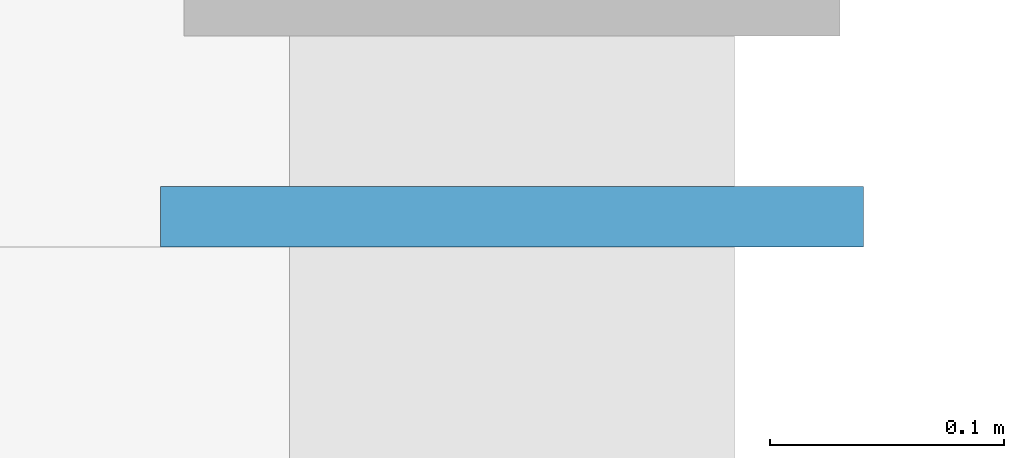
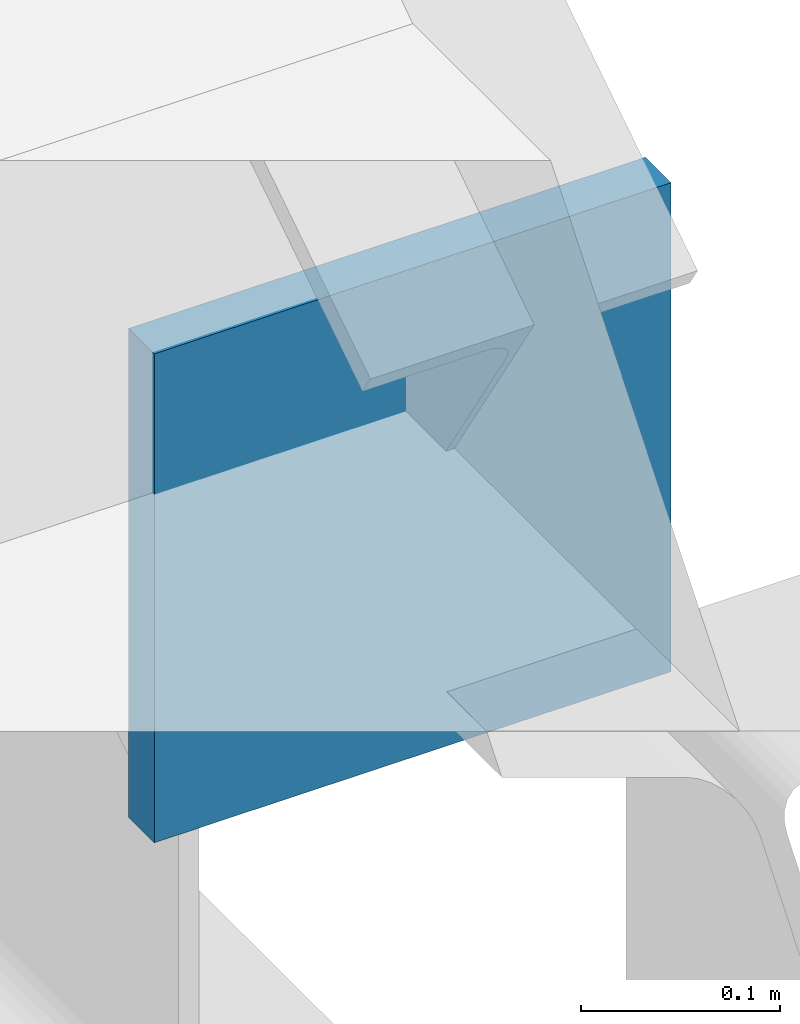
# One storey, part 6 of 9: 1 plate.
"""IFC4 building model written with IfcOpenShell, lengths in metres."""

from ifc_helpers import new_model, si_unit, direction, frame, origin, origin_2d, place, context, subcontext, project, spatial, rectangle, extrude, material, layer, layer_set, type_object, element, save


model = new_model("IFC4")

# Units and contexts
model_context = context("Model", 3, precision=1e-05, world=origin(), true_north=direction((0.0, 1.0)))
body_context = subcontext(model_context, "Body", "Model", "MODEL_VIEW")
ifc_project = project(units=[si_unit("LENGTHUNIT", "METRE"), si_unit("AREAUNIT", "SQUARE_METRE"), si_unit("VOLUMEUNIT", "CUBIC_METRE"), si_unit("PLANEANGLEUNIT", "RADIAN"), si_unit("MASSUNIT", "GRAM", prefix="KILO")], contexts=[model_context])

# Site, building, storey
site_placement = place(None, origin())
site = spatial("IfcSite", under=ifc_project, at=site_placement, CompositionType="ELEMENT")
building_placement = place(site_placement, origin())
building = spatial("IfcBuilding", under=site, at=building_placement, Name="Kaelora Sail Theatre", CompositionType="ELEMENT")
storey_placement = place(building_placement, frame((0.0, 0.0, 33.60009765625)))
storey = spatial("IfcBuildingStorey", under=building, at=storey_placement, Name="ROOF", CompositionType="ELEMENT", Elevation=33.60009765625)

# Plate
ifc_material = material(Name="Steel S355", Category="steel")
ifc_layer = layer(ifc_material, 0.02587890625)
ifc_layer_set = layer_set([ifc_layer], Name="Steel S355")
plate_type = type_object("IfcPlateType", Name="STR-PL-EP-26", PredefinedType="SHEET", material=ifc_layer_set)
plate_placement = place(storey_placement, frame((58.199951171875, 68.472900390625, -0.4501953125), z_axis=(0.0, 0.0, 1.0), x_axis=(1.0, 0.0, 0.0)))
element("IfcPlate", 1, at=plate_placement, inside=storey, type_object=plate_type, Name="Fly Tower south rafter 5 bolted end plate", PredefinedType="SHEET", context=body_context, shape_type="SweptSolid", body=[
    extrude(rectangle(XDim=0.300048828125, YDim=0.02587890625, at=origin_2d()), origin(), (0.0, 0.0, 1.0), 0.300048828125),
])

save(model, "model.ifc")
